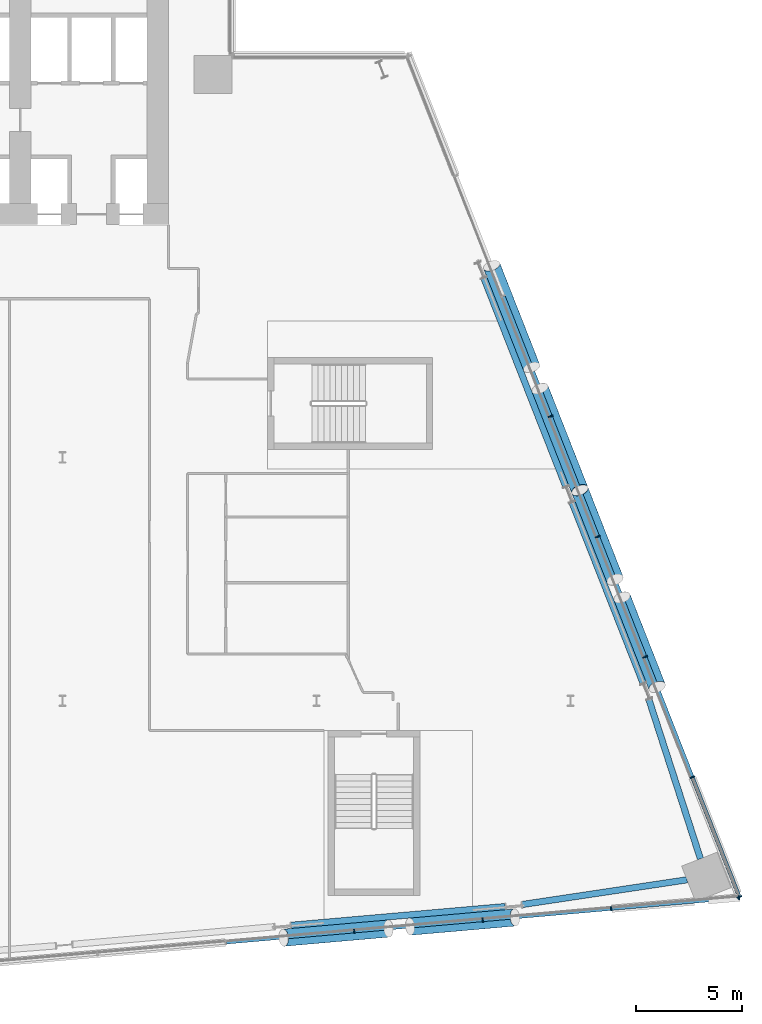
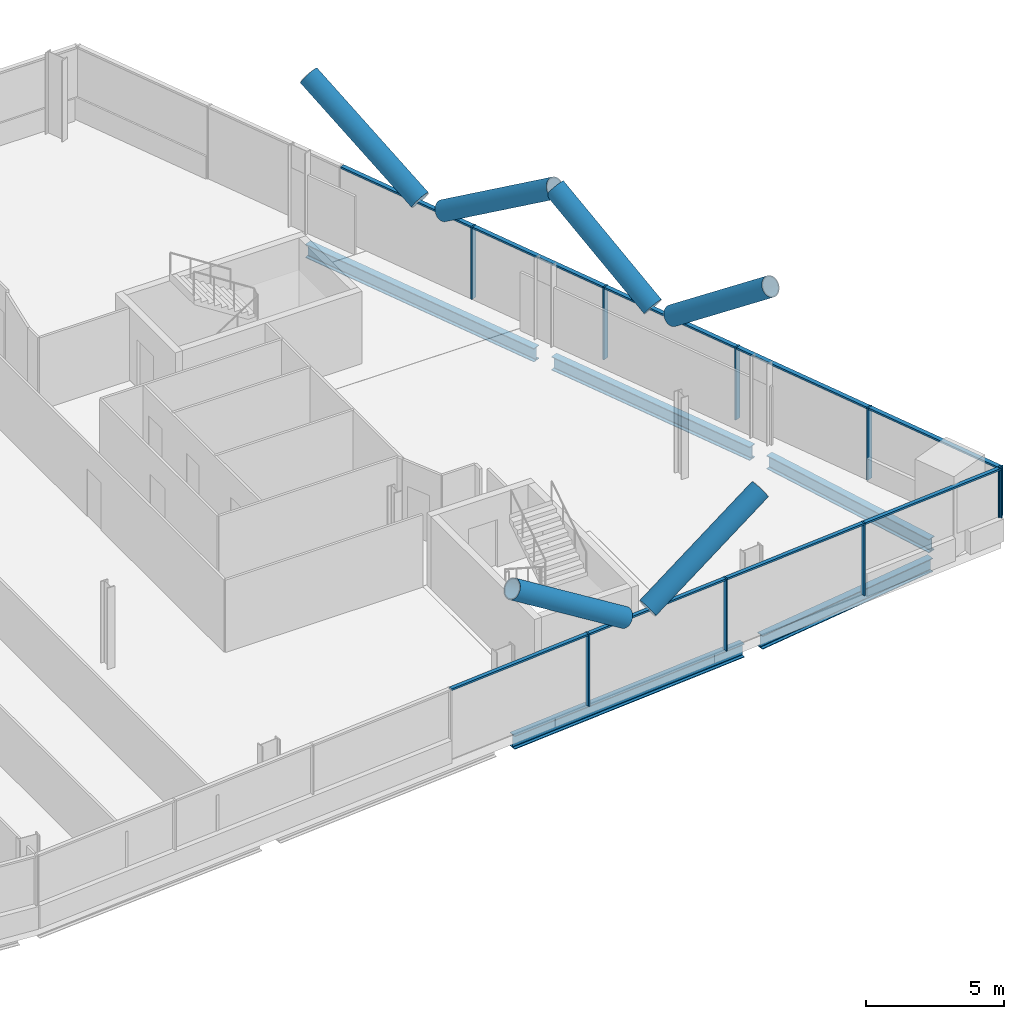
# One storey, part 10 of 26: 24 members, 5 beams, 2 elements without a shape of their own.
"""IFC4 building model written with IfcOpenShell, lengths in metres."""

from ifc_helpers import new_model, si_unit, direction, frame, origin, origin_2d, place, context, subcontext, project, spatial, rectangle, hollow_circle, i_section, extrude, material, material_profile, profile_set, type_object, element, aggregate, save


model = new_model("IFC4")

# Units and contexts
model_context = context("Model", 3, precision=1e-05, world=origin(), true_north=direction((0.0, 1.0)))
body_context = subcontext(model_context, "Body", "Model", "MODEL_VIEW")
ifc_project = project(units=[si_unit("LENGTHUNIT", "METRE"), si_unit("AREAUNIT", "SQUARE_METRE"), si_unit("VOLUMEUNIT", "CUBIC_METRE"), si_unit("PLANEANGLEUNIT", "RADIAN"), si_unit("MASSUNIT", "GRAM", prefix="KILO")], contexts=[model_context])

# Site, building, storey
site_placement = place(None, origin())
site = spatial("IfcSite", under=ifc_project, at=site_placement, CompositionType="ELEMENT")
building_placement = place(site_placement, origin())
building = spatial("IfcBuilding", under=site, at=building_placement, Name="Wharfspan Tower", CompositionType="ELEMENT")
storey_placement = place(building_placement, frame((0.0, 0.0, 125.5)))
storey = spatial("IfcBuildingStorey", under=building, at=storey_placement, Name="L29", CompositionType="ELEMENT", Elevation=125.5)

# Beams
ifc_material_1 = material(Name="Steel S355J2", Category="steel")
ifc_material_profile_1 = material_profile(ifc_material_1, i_section(OverallWidth=0.300049, OverallDepth=0.600098, WebThickness=0.015381, FlangeThickness=0.030029, FilletRadius=0.0271, at=origin_2d()))
ifc_profile_set_1 = profile_set([ifc_material_profile_1], Name="Steel S355J2")
beam_type = type_object("IfcBeamType", Name="Edge beam HEB 600", PredefinedType="SPANDREL", material=ifc_profile_set_1)
beam_1_placement = place(storey_placement, frame((70.805664, 0.887695, -0.699951), z_axis=(0.996194, 0.087159, 0.0), x_axis=(-0.087159, 0.996194, 0.0)))
element("IfcBeam", 1, at=beam_1_placement, inside=storey, type_object=beam_type, Name="Edge beam S2 L29 PS2.2 to PS2.3", PredefinedType="SPANDREL", context=body_context, shape_type="SweptSolid", body=[
    extrude(i_section(OverallWidth=0.300049, OverallDepth=0.600098, WebThickness=0.015381, FlangeThickness=0.030029, FilletRadius=0.0271, at=origin_2d()), origin(), (0.0, 0.0, 1.0), 10.159424),
])
beam_2_placement = place(storey_placement, frame((81.727295, 1.868408, -0.699951), z_axis=(0.988926, 0.148412, 0.0), x_axis=(-0.148412, 0.988926, 0.0)))
element("IfcBeam", 2, at=beam_2_placement, inside=storey, type_object=beam_type, Name="Edge beam S2 L29 PS2.3 to MC4", PredefinedType="SPANDREL", context=body_context, shape_type="SweptSolid", body=[
    extrude(i_section(OverallWidth=0.300049, OverallDepth=0.600098, WebThickness=0.015381, FlangeThickness=0.030029, FilletRadius=0.0271, at=origin_2d()), origin(), (0.0, 0.0, 1.0), 7.87793),
])
beam_3_placement = place(storey_placement, frame((90.150879, 4.02832, -0.699951), z_axis=(-0.307851, 0.951434, 0.0), x_axis=(-0.951434, -0.307851, 0.0)))
element("IfcBeam", 3, at=beam_3_placement, inside=storey, type_object=beam_type, Name="Edge beam E L29 MC4 to PE.1", PredefinedType="SPANDREL", context=body_context, shape_type="SweptSolid", body=[
    extrude(i_section(OverallWidth=0.300049, OverallDepth=0.600098, WebThickness=0.015381, FlangeThickness=0.030029, FilletRadius=0.0271, at=origin_2d()), origin(), (0.0, 0.0, 1.0), 7.924805),
])
beam_4_placement = place(storey_placement, frame((87.439453, 12.327637, -0.699951), z_axis=(-0.365779, 0.930702, 0.0), x_axis=(-0.930702, -0.365779, 0.0)))
element("IfcBeam", 4, at=beam_4_placement, inside=storey, type_object=beam_type, Name="Edge beam E L29 PE.1 to PE.2", PredefinedType="SPANDREL", context=body_context, shape_type="SweptSolid", body=[
    extrude(i_section(OverallWidth=0.300049, OverallDepth=0.600098, WebThickness=0.015381, FlangeThickness=0.030029, FilletRadius=0.0271, at=origin_2d()), origin(), (0.0, 0.0, 1.0), 9.184814),
])
beam_5_placement = place(storey_placement, frame((83.785156, 21.625977, -0.699951), z_axis=(-0.365789, 0.930698, 0.0), x_axis=(-0.930698, -0.365789, 0.0)))
element("IfcBeam", 5, at=beam_5_placement, inside=storey, type_object=beam_type, Name="Edge beam E L29 PE.2 to PE.3", PredefinedType="SPANDREL", context=body_context, shape_type="SweptSolid", body=[
    extrude(i_section(OverallWidth=0.300049, OverallDepth=0.600098, WebThickness=0.015381, FlangeThickness=0.030029, FilletRadius=0.0271, at=origin_2d()), origin(), (0.0, 0.0, 1.0), 10.584961),
])

# Curtain wall, members
ifc_material_2 = material(Name="Aluminium 6063-T6", Category="aluminium")
curtain_wall_type_1 = type_object("IfcCurtainWallType", Name="CURTAIN WALL FACETED FRONT", PredefinedType="NOTDEFINED", material=ifc_material_2)
curtain_wall_1_placement = place(storey_placement, origin())
curtain_wall_1 = element("IfcCurtainWall", 6, at=curtain_wall_1_placement, inside=storey, type_object=curtain_wall_type_1, Name="Curtain wall S2", PredefinedType="NOTDEFINED")
ifc_material_profile_2 = material_profile(ifc_material_2, rectangle(XDim=0.199951, YDim=0.060059, at=origin_2d()))
ifc_profile_set_2 = profile_set([ifc_material_profile_2], Name="Aluminium 6063-T6")
member_type_1 = type_object("IfcMemberType", Name="MULLION FACETED FRONT 60x200", PredefinedType="MULLION", material=ifc_profile_set_2)
member_1_placement = place(storey_placement, frame((73.785645, 0.606445, 0.0), z_axis=(0.0, 0.0, 1.0), x_axis=(-0.087156, 0.996198, 0.0)))
member_1 = element("IfcMember", 7, at=member_1_placement, type_object=member_type_1, Name="Curtain wall S2 mullion 5", PredefinedType="MULLION", context=body_context, shape_type="SweptSolid", body=[
    extrude(rectangle(XDim=0.199951, YDim=0.060059, at=origin_2d()), origin(), (0.0, 0.0, 1.0), 3.199951),
])
member_2_placement = place(storey_placement, frame((79.857178, 1.137695, 0.0), z_axis=(0.0, 0.0, 1.0), x_axis=(-0.087156, 0.996198, 0.0)))
member_2 = element("IfcMember", 8, at=member_2_placement, type_object=member_type_1, Name="Curtain wall S2 mullion 6", PredefinedType="MULLION", context=body_context, shape_type="SweptSolid", body=[
    extrude(rectangle(XDim=0.199951, YDim=0.060059, at=origin_2d()), origin(), (0.0, 0.0, 1.0), 3.199951),
])
member_3_placement = place(storey_placement, frame((85.928467, 1.668701, 0.0), z_axis=(0.0, 0.0, 1.0), x_axis=(-0.087156, 0.996198, 0.0)))
member_3 = element("IfcMember", 9, at=member_3_placement, type_object=member_type_1, Name="Curtain wall S2 mullion 7", PredefinedType="MULLION", context=body_context, shape_type="SweptSolid", body=[
    extrude(rectangle(XDim=0.199951, YDim=0.060059, at=origin_2d()), origin(), (0.0, 0.0, 1.0), 3.199951),
])
member_4_placement = place(storey_placement, frame((91.970215, 2.197266, 1.0), z_axis=(0.0, 0.0, 1.0), x_axis=(-0.087156, 0.996198, 0.0)))
member_4 = element("IfcMember", 10, at=member_4_placement, type_object=member_type_1, Name="Curtain wall S2 mullion 8", PredefinedType="MULLION", context=body_context, shape_type="SweptSolid", body=[
    extrude(rectangle(XDim=0.199951, YDim=0.060059, at=origin_2d()), origin(), (0.0, 0.0, 1.0), 2.199951),
])

curtain_wall_type_2 = type_object("IfcCurtainWallType", Name="CURTAIN WALL PROW AND END", PredefinedType="NOTDEFINED", material=ifc_material_2)
curtain_wall_2_placement = place(storey_placement, origin())
curtain_wall_2 = element("IfcCurtainWall", 11, at=curtain_wall_2_placement, inside=storey, type_object=curtain_wall_type_2, Name="Curtain wall E", PredefinedType="NOTDEFINED")
ifc_material_profile_3 = material_profile(ifc_material_2, rectangle(XDim=0.23999, YDim=0.060059, at=origin_2d()))
ifc_profile_set_3 = profile_set([ifc_material_profile_3], Name="Aluminium 6063-T6")
member_type_2 = type_object("IfcMemberType", Name="MULLION PROW AND END 60x240", PredefinedType="MULLION", material=ifc_profile_set_3)
member_5_placement = place(storey_placement, frame((91.989014, 2.228027, 1.0), z_axis=(0.0, 0.0, 1.0), x_axis=(-0.930702, -0.365778, 0.0)))
member_5 = element("IfcMember", 12, at=member_5_placement, type_object=member_type_2, Name="Curtain wall E mullion 1", PredefinedType="MULLION", context=body_context, shape_type="SweptSolid", body=[
    extrude(rectangle(XDim=0.23999, YDim=0.060059, at=origin_2d()), origin(), (0.0, 0.0, 1.0), 2.199951),
])
member_6_placement = place(storey_placement, frame((89.765381, 7.885742, 0.0), z_axis=(0.0, 0.0, 1.0), x_axis=(-0.930702, -0.365778, 0.0)))
member_6 = element("IfcMember", 13, at=member_6_placement, type_object=member_type_2, Name="Curtain wall E mullion 2", PredefinedType="MULLION", context=body_context, shape_type="SweptSolid", body=[
    extrude(rectangle(XDim=0.23999, YDim=0.060059, at=origin_2d()), origin(), (0.0, 0.0, 1.0), 3.199951),
])
member_7_placement = place(storey_placement, frame((87.530762, 13.571533, 0.0), z_axis=(0.0, 0.0, 1.0), x_axis=(-0.930702, -0.365778, 0.0)))
member_7 = element("IfcMember", 14, at=member_7_placement, type_object=member_type_2, Name="Curtain wall E mullion 3", PredefinedType="MULLION", context=body_context, shape_type="SweptSolid", body=[
    extrude(rectangle(XDim=0.23999, YDim=0.060059, at=origin_2d()), origin(), (0.0, 0.0, 1.0), 3.199951),
])
member_8_placement = place(storey_placement, frame((85.296387, 19.25708, 0.0), z_axis=(0.0, 0.0, 1.0), x_axis=(-0.930702, -0.365778, 0.0)))
member_8 = element("IfcMember", 15, at=member_8_placement, type_object=member_type_2, Name="Curtain wall E mullion 4", PredefinedType="MULLION", context=body_context, shape_type="SweptSolid", body=[
    extrude(rectangle(XDim=0.23999, YDim=0.060059, at=origin_2d()), origin(), (0.0, 0.0, 1.0), 3.199951),
])
member_9_placement = place(storey_placement, frame((83.061768, 24.942871, 0.0), z_axis=(0.0, 0.0, 1.0), x_axis=(-0.930702, -0.365778, 0.0)))
member_9 = element("IfcMember", 16, at=member_9_placement, type_object=member_type_2, Name="Curtain wall E mullion 5", PredefinedType="MULLION", context=body_context, shape_type="SweptSolid", body=[
    extrude(rectangle(XDim=0.23999, YDim=0.060059, at=origin_2d()), origin(), (0.0, 0.0, 1.0), 3.199951),
])

# Members
ifc_material_3 = material(Name="Steel S460NH", Category="steel")
ifc_material_profile_4 = material_profile(ifc_material_3, hollow_circle(Radius=0.406494, WallThickness=0.040039, at=origin_2d()))
ifc_profile_set_4 = profile_set([ifc_material_profile_4], Name="Steel S460NH")
member_type_3 = type_object("IfcMemberType", Name="Mega brace CHS 813x40", PredefinedType="BRACE", material=ifc_profile_set_4)
member_10_placement = place(storey_placement, frame((76.427002, 0.82251, 3.237793), z_axis=(0.832724, 0.07283, 0.548878), x_axis=(-0.087128, 0.996197, 1e-06)))
element("IfcMember", 17, at=member_10_placement, inside=storey, type_object=member_type_3, Name="Mega brace S2 L29 part 2", PredefinedType="BRACE", context=body_context, shape_type="SweptSolid", body=[
    extrude(hollow_circle(Radius=0.406494, WallThickness=0.040039, at=origin_2d()), origin(), (0.0, 0.0, 1.0), 5.943359),
])
member_11_placement = place(storey_placement, frame((75.401855, 0.73291, 3.237793), z_axis=(-0.832734, -0.072869, 0.548858), x_axis=(0.087173, -0.99619, 1e-06)))
element("IfcMember", 18, at=member_11_placement, inside=storey, type_object=member_type_3, Name="Mega brace S2 L29 part 4", PredefinedType="BRACE", context=body_context, shape_type="SweptSolid", body=[
    extrude(hollow_circle(Radius=0.406494, WallThickness=0.040039, at=origin_2d()), origin(), (0.0, 0.0, 1.0), 5.943604),
])
member_12_placement = place(storey_placement, frame((82.168213, 27.257812, 3.241699), z_axis=(-0.309223, 0.786709, 0.534294), x_axis=(-0.930685, -0.365812, -3e-06)))
element("IfcMember", 19, at=member_12_placement, inside=storey, type_object=member_type_3, Name="Mega brace E5 L29 part 2", PredefinedType="BRACE", context=body_context, shape_type="SweptSolid", body=[
    extrude(hollow_circle(Radius=0.406494, WallThickness=0.040039, at=origin_2d()), origin(), (0.0, 0.0, 1.0), 6.098389),
])
member_13_placement = place(storey_placement, frame((82.563477, 26.251709, 3.241699), z_axis=(0.309187, -0.786719, 0.534301), x_axis=(0.930704, 0.365777, 4e-06)))
element("IfcMember", 20, at=member_13_placement, inside=storey, type_object=member_type_3, Name="Mega brace E5 L29 part 4", PredefinedType="BRACE", context=body_context, shape_type="SweptSolid", body=[
    extrude(hollow_circle(Radius=0.406494, WallThickness=0.040039, at=origin_2d()), origin(), (0.0, 0.0, 1.0), 6.098145),
])
member_14_placement = place(storey_placement, frame((86.109863, 17.228027, 3.227783), z_axis=(-0.29675, 0.75507, 0.584645), x_axis=(-0.930704, -0.365779, 4e-06)))
element("IfcMember", 21, at=member_14_placement, inside=storey, type_object=member_type_3, Name="Mega brace E6 L29 part 2", PredefinedType="BRACE", context=body_context, shape_type="SweptSolid", body=[
    extrude(hollow_circle(Radius=0.406494, WallThickness=0.040039, at=origin_2d()), origin(), (0.0, 0.0, 1.0), 5.596924),
])
member_15_placement = place(storey_placement, frame((86.442627, 16.381348, 3.227783), z_axis=(0.29676, -0.755051, 0.584664), x_axis=(0.930695, 0.365797, 4e-06)))
element("IfcMember", 22, at=member_15_placement, inside=storey, type_object=member_type_3, Name="Mega brace E6 L29 part 4", PredefinedType="BRACE", context=body_context, shape_type="SweptSolid", body=[
    extrude(hollow_circle(Radius=0.406494, WallThickness=0.040039, at=origin_2d()), origin(), (0.0, 0.0, 1.0), 5.59668),
])

# Member
ifc_material_profile_5 = material_profile(ifc_material_2, rectangle(XDim=0.159912, YDim=0.080078, at=origin_2d()))
ifc_profile_set_5 = profile_set([ifc_material_profile_5], Name="Aluminium 6063-T6")
member_type_4 = type_object("IfcMemberType", Name="TRANSOM FACETED FRONT 80x160", PredefinedType="USERDEFINED", material=ifc_profile_set_5)
member_16_placement = place(storey_placement, frame((67.744141, 0.077881, 3.159912), z_axis=(0.996196, 0.087143, 0.0), x_axis=(-0.087143, 0.996196, 0.0)))
member_16 = element("IfcMember", 23, at=member_16_placement, type_object=member_type_4, Name="Curtain wall S2 transom 4", ObjectType="TRANSOM", PredefinedType="USERDEFINED", context=body_context, shape_type="SweptSolid", body=[
    extrude(rectangle(XDim=0.159912, YDim=0.080078, at=origin_2d()), origin(), (0.0, 0.0, 1.0), 6.034668),
])

member_17_placement = place(storey_placement, frame((73.815674, 0.609131, 3.159912), z_axis=(0.996196, 0.087146, 0.0), x_axis=(-0.087146, 0.996196, 0.0)))
member_17 = element("IfcMember", 24, at=member_17_placement, type_object=member_type_4, Name="Curtain wall S2 transom 5", ObjectType="TRANSOM", PredefinedType="USERDEFINED", context=body_context, shape_type="SweptSolid", body=[
    extrude(rectangle(XDim=0.159912, YDim=0.080078, at=origin_2d()), origin(), (0.0, 0.0, 1.0), 6.034424),
])

member_18_placement = place(storey_placement, frame((79.886963, 1.140137, 3.159912), z_axis=(0.996192, 0.087183, 0.0), x_axis=(-0.087183, 0.996192, 0.0)))
member_18 = element("IfcMember", 25, at=member_18_placement, type_object=member_type_4, Name="Curtain wall S2 transom 6", ObjectType="TRANSOM", PredefinedType="USERDEFINED", context=body_context, shape_type="SweptSolid", body=[
    extrude(rectangle(XDim=0.159912, YDim=0.080078, at=origin_2d()), origin(), (0.0, 0.0, 1.0), 6.034668),
])

member_19_placement = place(storey_placement, frame((85.958496, 1.671387, 3.159912), z_axis=(0.996193, 0.087174, 0.0), x_axis=(-0.087174, 0.996193, 0.0)))
member_19 = element("IfcMember", 26, at=member_19_placement, type_object=member_type_4, Name="Curtain wall S2 transom 7", ObjectType="TRANSOM", PredefinedType="USERDEFINED", context=body_context, shape_type="SweptSolid", body=[
    extrude(rectangle(XDim=0.159912, YDim=0.080078, at=origin_2d()), origin(), (0.0, 0.0, 1.0), 6.004639),
])

aggregate(curtain_wall_1, [member_1, member_2, member_3, member_4, member_16, member_17, member_18, member_19])

ifc_material_profile_6 = material_profile(ifc_material_2, rectangle(XDim=0.179932, YDim=0.080078, at=origin_2d()))
ifc_profile_set_6 = profile_set([ifc_material_profile_6], Name="Aluminium 6063-T6")
member_type_5 = type_object("IfcMemberType", Name="TRANSOM PROW AND END 80x180", PredefinedType="USERDEFINED", material=ifc_profile_set_6)
member_20_placement = place(storey_placement, frame((91.978027, 2.255859, 3.159912), z_axis=(-0.365775, 0.930703, 0.0), x_axis=(-0.930703, -0.365775, 0.0)))
member_20 = element("IfcMember", 27, at=member_20_placement, type_object=member_type_5, Name="Curtain wall E transom 1", ObjectType="TRANSOM", PredefinedType="USERDEFINED", context=body_context, shape_type="SweptSolid", body=[
    extrude(rectangle(XDim=0.179932, YDim=0.080078, at=origin_2d()), origin(), (0.0, 0.0, 1.0), 6.019043),
])

member_21_placement = place(storey_placement, frame((89.754395, 7.913574, 3.159912), z_axis=(-0.365782, 0.9307, 0.0), x_axis=(-0.9307, -0.365782, 0.0)))
member_21 = element("IfcMember", 28, at=member_21_placement, type_object=member_type_5, Name="Curtain wall E transom 2", ObjectType="TRANSOM", PredefinedType="USERDEFINED", context=body_context, shape_type="SweptSolid", body=[
    extrude(rectangle(XDim=0.179932, YDim=0.080078, at=origin_2d()), origin(), (0.0, 0.0, 1.0), 6.049072),
])

member_22_placement = place(storey_placement, frame((87.52002, 13.599365, 3.159912), z_axis=(-0.365782, 0.9307, 0.0), x_axis=(-0.9307, -0.365782, 0.0)))
member_22 = element("IfcMember", 29, at=member_22_placement, type_object=member_type_5, Name="Curtain wall E transom 3", ObjectType="TRANSOM", PredefinedType="USERDEFINED", context=body_context, shape_type="SweptSolid", body=[
    extrude(rectangle(XDim=0.179932, YDim=0.080078, at=origin_2d()), origin(), (0.0, 0.0, 1.0), 6.049072),
])

member_23_placement = place(storey_placement, frame((85.2854, 19.285156, 3.159912), z_axis=(-0.365782, 0.9307, 0.0), x_axis=(-0.9307, -0.365782, 0.0)))
member_23 = element("IfcMember", 30, at=member_23_placement, type_object=member_type_5, Name="Curtain wall E transom 4", ObjectType="TRANSOM", PredefinedType="USERDEFINED", context=body_context, shape_type="SweptSolid", body=[
    extrude(rectangle(XDim=0.179932, YDim=0.080078, at=origin_2d()), origin(), (0.0, 0.0, 1.0), 6.049072),
])

member_24_placement = place(storey_placement, frame((83.050781, 24.970703, 3.159912), z_axis=(-0.365782, 0.9307, 0.0), x_axis=(-0.9307, -0.365782, 0.0)))
member_24 = element("IfcMember", 31, at=member_24_placement, type_object=member_type_5, Name="Curtain wall E transom 5", ObjectType="TRANSOM", PredefinedType="USERDEFINED", context=body_context, shape_type="SweptSolid", body=[
    extrude(rectangle(XDim=0.179932, YDim=0.080078, at=origin_2d()), origin(), (0.0, 0.0, 1.0), 6.049072),
])

aggregate(curtain_wall_2, [member_5, member_6, member_7, member_8, member_9, member_20, member_21, member_22, member_23, member_24])

save(model, "model.ifc")
